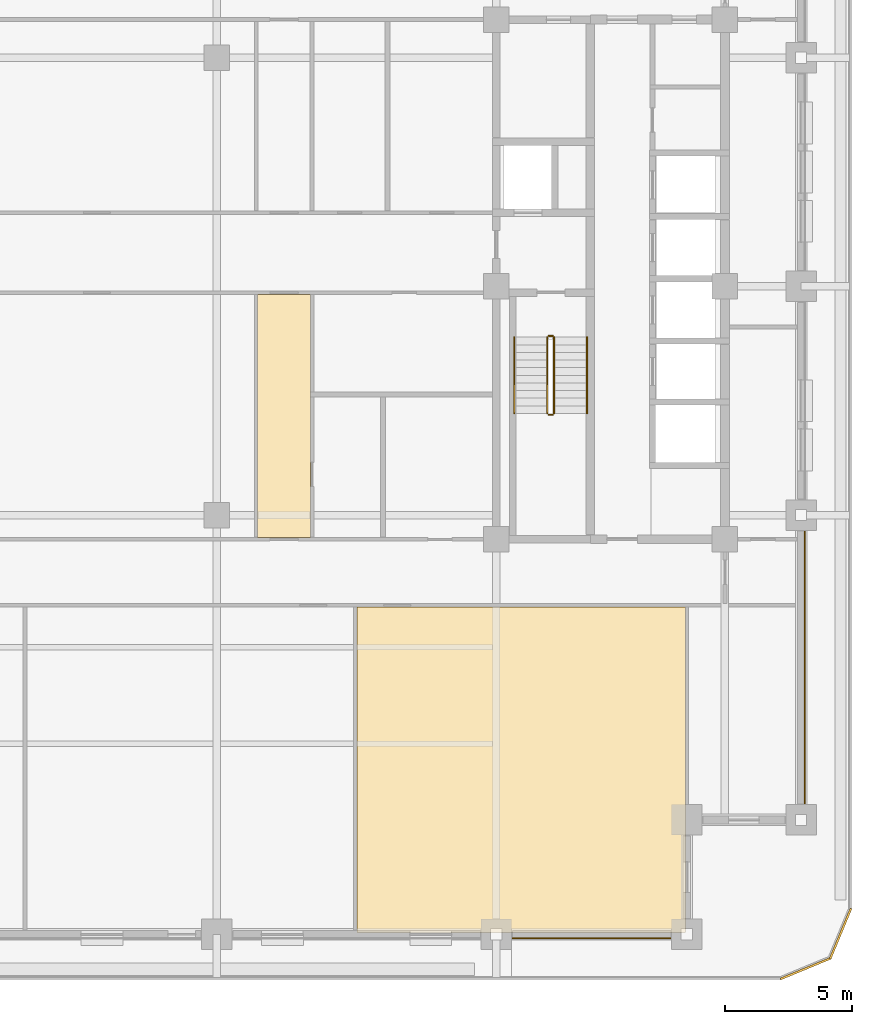
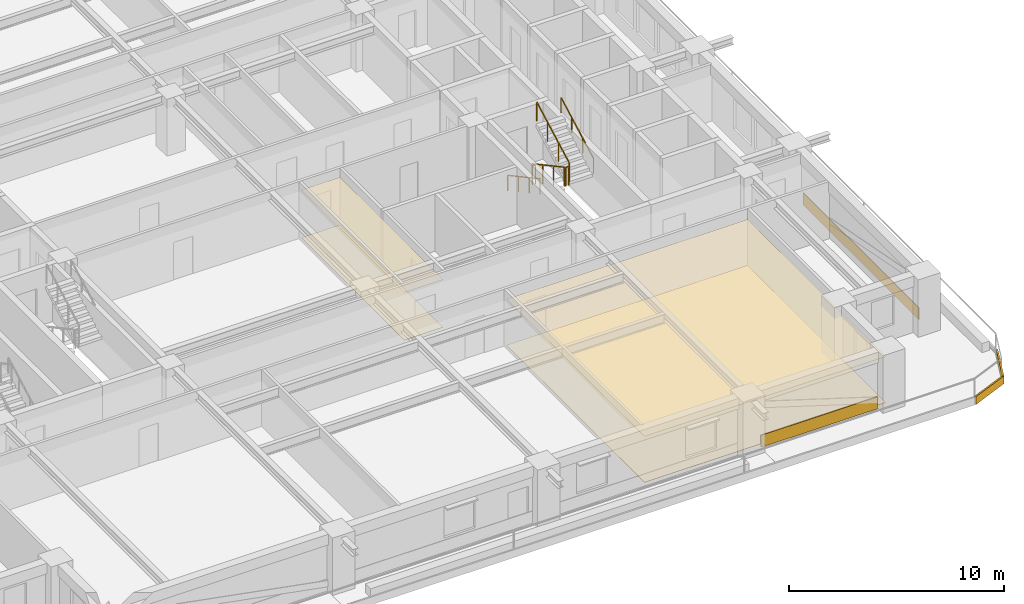
# One storey, part 13 of 15: 8 coverings, 6 railings.
"""IFC4 building model written with IfcOpenShell, lengths in metres."""

from ifc_helpers import new_model, si_unit, direction, frame, frame_2d, origin, origin_2d, place, context, subcontext, project, spatial, polyline, rectangle, outline, extrude, material, layer, layer_set, type_object, element, save


model = new_model("IFC4")

# Units and contexts
model_context = context("Model", 3, precision=1e-05, world=origin(), true_north=direction((0.0, 1.0)))
body_context = subcontext(model_context, "Body", "Model", "MODEL_VIEW")
ifc_project = project(units=[si_unit("LENGTHUNIT", "METRE"), si_unit("AREAUNIT", "SQUARE_METRE"), si_unit("VOLUMEUNIT", "CUBIC_METRE"), si_unit("PLANEANGLEUNIT", "RADIAN"), si_unit("MASSUNIT", "GRAM", prefix="KILO")], contexts=[model_context])

# Site, building, storey
site_placement = place(None, origin())
site = spatial("IfcSite", under=ifc_project, at=site_placement, CompositionType="ELEMENT")
building_placement = place(site_placement, origin())
building = spatial("IfcBuilding", under=site, at=building_placement, Name="Zulmaris Gate Convention Tower", CompositionType="ELEMENT")
storey_placement = place(building_placement, frame((0.0, 0.0, 139.199951171875)))
storey = spatial("IfcBuildingStorey", under=building, at=storey_placement, Name="L35", CompositionType="ELEMENT", Elevation=139.199951171875)

# Coverings
ifc_material_1 = material(Name="Precast concrete C40/50", Category="concrete")
ifc_layer_1 = layer(ifc_material_1, 0.0400390625, Name="Precast concrete C40/50")
ifc_layer_set_1 = layer_set([ifc_layer_1], Name="Precast concrete C40/50")
covering_type_1 = type_object("IfcCoveringType", Name="CLAD-SPANDREL-PRECAST", PredefinedType="CLADDING", material=ifc_layer_set_1)
covering_1_placement = place(storey_placement, frame((11.6298828125, -25.64990234375, 0.0), z_axis=(0.0, 0.0, 1.0), x_axis=(1.0, 0.0, 0.0)))
element("IfcCovering", 1, at=covering_1_placement, inside=storey, type_object=covering_type_1, Name="CLD-L35-S-3_0", PredefinedType="CLADDING", context=body_context, shape_type="SweptSolid", body=[
    extrude(rectangle(XDim=6.240234375, YDim=0.0400390625, at=frame_2d((3.1201171875, 0.0))), origin(), (0.0, 0.0, 1.0), 0.679931640625),
])
covering_2_placement = place(storey_placement, frame((23.14990234375, -20.3701171875, 0.0), z_axis=(0.0, 0.0, 1.0), x_axis=(0.0, 1.0, 0.0)))
element("IfcCovering", 2, at=covering_2_placement, inside=storey, type_object=covering_type_1, Name="CLD-L35-E-0_0", PredefinedType="CLADDING", context=body_context, shape_type="SweptSolid", body=[
    extrude(rectangle(XDim=10.740234375, YDim=0.0400390625, at=frame_2d((5.3701171875, 0.0))), origin(), (0.0, 0.0, 1.0), 0.679931640625),
])
ifc_material_2 = material(Name="White Glazed Architectural Precast Concrete C40/50", Category="concrete")
ifc_layer_2 = layer(ifc_material_2, 0.080078125, Name="White Glazed Architectural Precast Concrete C40/50")
ifc_layer_set_2 = layer_set([ifc_layer_2], Name="White Glazed Architectural Precast Concrete C40/50")
covering_type_2 = type_object("IfcCoveringType", Name="CLAD-TRAY-FASCIA", PredefinedType="CLADDING", material=ifc_layer_set_2)
covering_3_placement = place(storey_placement, frame((22.184814453125, -27.262939453125, -0.2900390625), z_axis=(0.0, 0.0, 1.0), x_axis=(0.923873803533, 0.382697263049, 0.0)))
element("IfcCovering", 3, at=covering_3_placement, inside=storey, type_object=covering_type_2, Name="FSC-L35-TR-03", PredefinedType="CLADDING", context=body_context, shape_type="SweptSolid", body=[
    extrude(rectangle(XDim=2.142822265625, YDim=0.080078125, at=frame_2d((1.0712890625, 0.0))), origin(), (0.0, 0.0, 1.0), 0.440185546875),
])
covering_4_placement = place(storey_placement, frame((24.142822265625, -26.464599609375, -0.2900390625), z_axis=(0.0, 0.0, 1.0), x_axis=(0.382656984709, 0.923890487046, 0.0)))
element("IfcCovering", 4, at=covering_4_placement, inside=storey, type_object=covering_type_2, Name="FSC-L35-TR-04", PredefinedType="CLADDING", context=body_context, shape_type="SweptSolid", body=[
    extrude(rectangle(XDim=2.14306640625, YDim=0.080078125, at=frame_2d((1.071533203125, 0.0))), origin(), (0.0, 0.0, 1.0), 0.440185546875),
])
ifc_material_3 = material(Name="Mineral Fibre Acoustic Ceiling Tile")
ifc_layer_3 = layer(ifc_material_3, 0.02001953125, Name="Mineral Fibre Acoustic Ceiling Tile")
ifc_layer_set_3 = layer_set([ifc_layer_3], Name="Mineral Fibre Acoustic Ceiling Tile")
covering_type_3 = type_object("IfcCoveringType", Name="CLG-ACOUSTIC-600", PredefinedType="CEILING", material=ifc_layer_set_3)
covering_5_placement = place(storey_placement, frame((0.0, 0.0, 2.702880859375)))
element("IfcCovering", 5, at=covering_5_placement, inside=storey, type_object=covering_type_3, Name="CLG-L35-R32", PredefinedType="CEILING", context=body_context, shape_type="SweptSolid", body=[
    extrude(outline(polyline([(1.610107421875, -9.889892578125), (3.68994140625, -9.889892578125), (3.68994140625, -0.31005859375), (1.610107421875, -0.31005859375), (1.610107421875, -9.889892578125)])), origin(), (0.0, 0.0, 1.0), 0.02001953125),
])
covering_6_placement = place(storey_placement, frame((0.0, 0.0, 2.604736328125)))
element("IfcCovering", 6, at=covering_6_placement, inside=storey, type_object=covering_type_3, Name="CLG-L35-R37", PredefinedType="CEILING", context=body_context, shape_type="SweptSolid", body=[
    extrude(outline(polyline([(5.510009765625, -25.43994140625), (18.43994140625, -25.43994140625), (18.43994140625, -12.610107421875), (5.510009765625, -12.610107421875), (5.510009765625, -25.43994140625)])), origin(), (0.0, 0.0, 1.0), 0.02001953125),
])
ifc_material_4 = material(Name="Woven Acoustic Wool Carpet Tile")
ifc_layer_4 = layer(ifc_material_4, 0.02001953125, Name="Woven Acoustic Wool Carpet Tile")
ifc_layer_set_4 = layer_set([ifc_layer_4], Name="Woven Acoustic Wool Carpet Tile")
covering_type_4 = type_object("IfcCoveringType", Name="FLR-CARPET-12", PredefinedType="FLOORING", material=ifc_layer_set_4)
covering_7_placement = place(storey_placement, origin())
element("IfcCovering", 7, at=covering_7_placement, inside=storey, type_object=covering_type_4, Name="FLR-L35-R32", PredefinedType="FLOORING", context=body_context, shape_type="SweptSolid", body=[
    extrude(outline(polyline([(1.610107421875, -9.889892578125), (3.68994140625, -9.889892578125), (3.68994140625, -0.31005859375), (1.610107421875, -0.31005859375), (1.610107421875, -9.889892578125)])), origin(), (0.0, 0.0, 1.0), 0.02001953125),
])
covering_8_placement = place(storey_placement, origin())
element("IfcCovering", 8, at=covering_8_placement, inside=storey, type_object=covering_type_4, Name="FLR-L35-R37", PredefinedType="FLOORING", context=body_context, shape_type="SweptSolid", body=[
    extrude(outline(polyline([(5.510009765625, -25.43994140625), (18.43994140625, -25.43994140625), (18.43994140625, -12.610107421875), (5.510009765625, -12.610107421875), (5.510009765625, -25.43994140625)])), origin(), (0.0, 0.0, 1.0), 0.02001953125),
])

# Railings
ifc_material_5 = material(Name="Painted Galvanised Steel", Category="steel")
railing_type_1 = type_object("IfcRailingType", Name="RL-STG-1150", PredefinedType="GUARDRAIL", material=ifc_material_5)
railing_1_placement = place(storey_placement, frame((13.010009765625, -2.0, 0.162353515625)))
element("IfcRailing", 9, at=railing_1_placement, inside=storey, type_object=railing_type_1, Name="L35 ST-2 stair guard 1", PredefinedType="GUARDRAIL", context=body_context, shape_type="SweptSolid", body=[
    extrude(rectangle(XDim=0.048095703125, YDim=0.048095703125, at=origin_2d()), frame((0.0, 0.0, 1.076171875), z_axis=(0.0, -0.879591569277, 0.475729619907), x_axis=(1.0, 0.0, 0.0)), (0.0, 0.0, 1.0), 3.41064453125),
    extrude(rectangle(XDim=0.0419921875, YDim=0.0419921875, at=origin_2d()), origin(), (0.0, 0.0, 1.0), 1.052001953125),
    extrude(rectangle(XDim=0.0419921875, YDim=0.0419921875, at=origin_2d()), frame((0.0, -1.0, 0.540771484375)), (0.0, 0.0, 1.0), 1.052001953125),
    extrude(rectangle(XDim=0.0419921875, YDim=0.0419921875, at=origin_2d()), frame((0.0, -2.0, 1.081787109375)), (0.0, 0.0, 1.0), 1.052001953125),
    extrude(rectangle(XDim=0.0419921875, YDim=0.0419921875, at=origin_2d()), frame((0.0, -3.0, 1.62255859375)), (0.0, 0.0, 1.0), 1.052001953125),
])
railing_2_placement = place(storey_placement, frame((13.06005859375, -5.050048828125, 1.784912109375)))
element("IfcRailing", 10, at=railing_2_placement, inside=storey, type_object=railing_type_1, Name="L35 ST-2 stair guard 2", PredefinedType="GUARDRAIL", context=body_context, shape_type="SweptSolid", body=[
    extrude(rectangle(XDim=0.048095703125, YDim=0.048095703125, at=origin_2d()), frame((0.0, 0.0, 1.076171875), z_axis=(1.0, 0.0, 0.0), x_axis=(0.0, 1.0, 0.0)), (0.0, 0.0, 1.0), 0.159912109375),
    extrude(rectangle(XDim=0.0419921875, YDim=0.0419921875, at=origin_2d()), origin(), (0.0, 0.0, 1.0), 1.052001953125),
    extrude(rectangle(XDim=0.0419921875, YDim=0.0419921875, at=origin_2d()), frame((0.159912109375, 0.0, 0.0)), (0.0, 0.0, 1.0), 1.052001953125),
])
railing_3_placement = place(storey_placement, frame((13.27001953125, -5.0, 1.947265625)))
element("IfcRailing", 11, at=railing_3_placement, inside=storey, type_object=railing_type_1, Name="L35 ST-2 stair guard 3", PredefinedType="GUARDRAIL", context=body_context, shape_type="SweptSolid", body=[
    extrude(rectangle(XDim=0.048095703125, YDim=0.048095703125, at=origin_2d()), frame((0.0, 0.0, 1.076171875), z_axis=(0.0, 0.879591569277, 0.475729619907), x_axis=(-1.0, 0.0, 0.0)), (0.0, 0.0, 1.0), 3.41064453125),
    extrude(rectangle(XDim=0.0419921875, YDim=0.0419921875, at=origin_2d()), origin(), (0.0, 0.0, 1.0), 1.052001953125),
    extrude(rectangle(XDim=0.0419921875, YDim=0.0419921875, at=origin_2d()), frame((0.0, 1.0, 0.540771484375)), (0.0, 0.0, 1.0), 1.052001953125),
    extrude(rectangle(XDim=0.0419921875, YDim=0.0419921875, at=origin_2d()), frame((0.0, 2.0, 1.081787109375)), (0.0, 0.0, 1.0), 1.052001953125),
    extrude(rectangle(XDim=0.0419921875, YDim=0.0419921875, at=origin_2d()), frame((0.0, 3.0, 1.62255859375)), (0.0, 0.0, 1.0), 1.052001953125),
])
railing_4_placement = place(storey_placement, frame((13.06005859375, -1.949951171875, 0.0)))
element("IfcRailing", 12, at=railing_4_placement, inside=storey, type_object=railing_type_1, Name="L35 ST-2 stair guard 4", PredefinedType="GUARDRAIL", context=body_context, shape_type="SweptSolid", body=[
    extrude(rectangle(XDim=0.048095703125, YDim=0.048095703125, at=origin_2d()), frame((0.0, 0.0, 1.076171875), z_axis=(1.0, 0.0, 0.0), x_axis=(0.0, 1.0, 0.0)), (0.0, 0.0, 1.0), 0.159912109375),
    extrude(rectangle(XDim=0.0419921875, YDim=0.0419921875, at=origin_2d()), origin(), (0.0, 0.0, 1.0), 1.052001953125),
    extrude(rectangle(XDim=0.0419921875, YDim=0.0419921875, at=origin_2d()), frame((0.159912109375, 0.0, 0.0)), (0.0, 0.0, 1.0), 1.052001953125),
])
ifc_material_6 = material(Name="Brushed Stainless Steel", Category="steel")
railing_type_2 = type_object("IfcRailingType", Name="RL-STH-900", PredefinedType="HANDRAIL", material=ifc_material_6)
railing_5_placement = place(storey_placement, frame((11.7099609375, -2.0, 0.162353515625)))
element("IfcRailing", 13, at=railing_5_placement, inside=storey, type_object=railing_type_2, Name="L35 ST-2 stair handrail 1", PredefinedType="HANDRAIL", context=body_context, shape_type="SweptSolid", body=[
    extrude(rectangle(XDim=0.048095703125, YDim=0.048095703125, at=origin_2d()), frame((0.0, 0.0, 0.8759765625), z_axis=(0.0, -0.879591569277, 0.475729619907), x_axis=(1.0, 0.0, 0.0)), (0.0, 0.0, 1.0), 3.41064453125),
    extrude(rectangle(XDim=0.0419921875, YDim=0.0419921875, at=origin_2d()), origin(), (0.0, 0.0, 1.0), 0.851806640625),
    extrude(rectangle(XDim=0.0419921875, YDim=0.0419921875, at=origin_2d()), frame((0.0, -1.0, 0.540771484375)), (0.0, 0.0, 1.0), 0.851806640625),
    extrude(rectangle(XDim=0.0419921875, YDim=0.0419921875, at=origin_2d()), frame((0.0, -2.0, 1.081787109375)), (0.0, 0.0, 1.0), 0.851806640625),
    extrude(rectangle(XDim=0.0419921875, YDim=0.0419921875, at=origin_2d()), frame((0.0, -3.0, 1.62255859375)), (0.0, 0.0, 1.0), 0.851806640625),
])
railing_6_placement = place(storey_placement, frame((14.570068359375, -5.0, 1.947265625)))
element("IfcRailing", 14, at=railing_6_placement, inside=storey, type_object=railing_type_2, Name="L35 ST-2 stair handrail 2", PredefinedType="HANDRAIL", context=body_context, shape_type="SweptSolid", body=[
    extrude(rectangle(XDim=0.048095703125, YDim=0.048095703125, at=origin_2d()), frame((0.0, 0.0, 0.8759765625), z_axis=(0.0, 0.879591569277, 0.475729619907), x_axis=(-1.0, 0.0, 0.0)), (0.0, 0.0, 1.0), 3.41064453125),
    extrude(rectangle(XDim=0.0419921875, YDim=0.0419921875, at=origin_2d()), origin(), (0.0, 0.0, 1.0), 0.851806640625),
    extrude(rectangle(XDim=0.0419921875, YDim=0.0419921875, at=origin_2d()), frame((0.0, 1.0, 0.540771484375)), (0.0, 0.0, 1.0), 0.851806640625),
    extrude(rectangle(XDim=0.0419921875, YDim=0.0419921875, at=origin_2d()), frame((0.0, 2.0, 1.081787109375)), (0.0, 0.0, 1.0), 0.851806640625),
    extrude(rectangle(XDim=0.0419921875, YDim=0.0419921875, at=origin_2d()), frame((0.0, 3.0, 1.62255859375)), (0.0, 0.0, 1.0), 0.851806640625),
])

save(model, "model.ifc")
